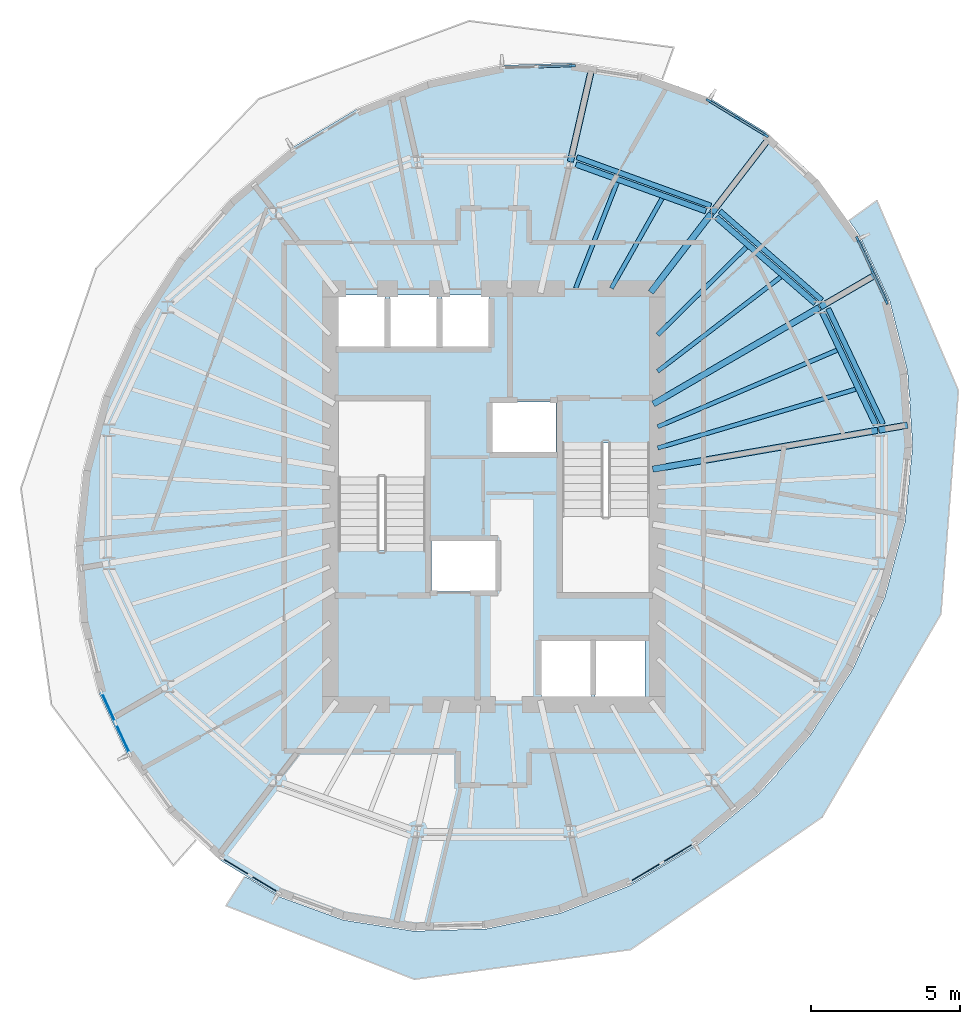
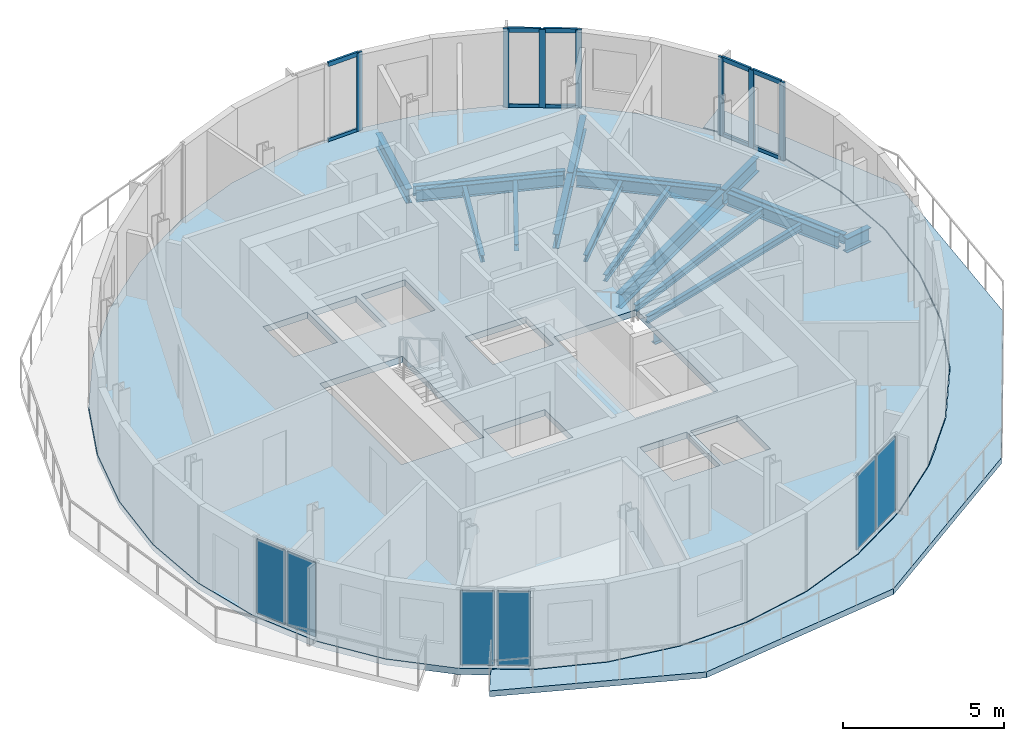
# One storey, part 3 of 11: 19 beams, 17 members, 6 plates, 2 slabs, 6 elements without a shape of their own.
"""IFC4 building model written with IfcOpenShell, lengths in metres."""

from ifc_helpers import new_model, si_unit, direction, frame, origin, origin_2d, place, context, subcontext, project, spatial, polyline, rectangle, i_section, outline, extrude, material, layer, layer_set, material_profile, profile_set, type_object, element, aggregate, save


model = new_model("IFC4")

# Units and contexts
model_context = context("Model", 3, precision=1e-05, world=origin(), true_north=direction((0.0, 1.0)))
body_context = subcontext(model_context, "Body", "Model", "MODEL_VIEW")
ifc_project = project(units=[si_unit("LENGTHUNIT", "METRE"), si_unit("AREAUNIT", "SQUARE_METRE"), si_unit("VOLUMEUNIT", "CUBIC_METRE"), si_unit("PLANEANGLEUNIT", "RADIAN"), si_unit("MASSUNIT", "GRAM", prefix="KILO")], contexts=[model_context])

# Site, building, storey
site_placement = place(None, origin())
site = spatial("IfcSite", under=ifc_project, at=site_placement, CompositionType="ELEMENT")
building_placement = place(site_placement, origin())
building = spatial("IfcBuilding", under=site, at=building_placement, Name="Veldorim Arch Residences", CompositionType="ELEMENT")
storey_placement = place(building_placement, frame((0.0, 0.0, 211.0400390625)))
storey = spatial("IfcBuildingStorey", under=building, at=storey_placement, Name="L63", CompositionType="ELEMENT", Elevation=211.0400390625)

# Beams
ifc_material_1 = material(Name="Steel S355", Category="steel")
ifc_material_profile_1 = material_profile(ifc_material_1, i_section(OverallWidth=0.2119140625, OverallDepth=0.54443359375, WebThickness=0.0126953125, FlangeThickness=0.021240234375, at=origin_2d()), Name="UB533x210x122")
ifc_profile_set_1 = profile_set([ifc_material_profile_1], Name="Steel S355")
beam_type_1 = type_object("IfcBeamType", Name="Structural Steel Beam UB533x210x122", PredefinedType="BEAM", material=ifc_profile_set_1)
beam_1_placement = place(storey_placement, frame((37.352294921875, 24.92578125, -0.512451171875), z_axis=(0.985364974081, 0.170457818401, 0.0), x_axis=(-0.170457818401, 0.985364974081, 0.0)))
element("IfcBeam", 1, at=beam_1_placement, inside=storey, type_object=beam_type_1, Name="L63 radial floor girder 01", PredefinedType="BEAM", context=body_context, shape_type="SweptSolid", body=[
    extrude(i_section(OverallWidth=0.2119140625, OverallDepth=0.54443359375, WebThickness=0.0126953125, FlangeThickness=0.021240234375, at=origin_2d()), origin(), (0.0, 0.0, 1.0), 7.68701171875),
])
beam_2_placement = place(storey_placement, frame((44.966064453125, 26.242919921875, -0.512451171875), z_axis=(0.985356152623, 0.170508804723, 0.0), x_axis=(-0.170508804723, 0.985356152623, 0.0)))
element("IfcBeam", 2, at=beam_2_placement, inside=storey, type_object=beam_type_1, Name="L63 radial edge cantilever girder 01", PredefinedType="BEAM", context=body_context, shape_type="SweptSolid", body=[
    extrude(i_section(OverallWidth=0.2119140625, OverallDepth=0.54443359375, WebThickness=0.0126953125, FlangeThickness=0.021240234375, at=origin_2d()), origin(), (0.0, 0.0, 1.0), 0.97802734375),
])
beam_3_placement = place(storey_placement, frame((37.370361328125, 27.12060546875, -0.512451171875), z_axis=(0.864595736304, 0.502468121142, 0.0), x_axis=(-0.502468121142, 0.864595736304, 0.0)))
element("IfcBeam", 3, at=beam_3_placement, inside=storey, type_object=beam_type_1, Name="L63 radial floor girder 02", PredefinedType="BEAM", context=body_context, shape_type="SweptSolid", body=[
    extrude(i_section(OverallWidth=0.2119140625, OverallDepth=0.54443359375, WebThickness=0.0126953125, FlangeThickness=0.021240234375, at=origin_2d()), origin(), (0.0, 0.0, 1.0), 6.462646484375),
])
beam_4_placement = place(storey_placement, frame((42.99267578125, 30.387939453125, -0.512451171875), z_axis=(0.864602636906, 0.502456247105, 0.0), x_axis=(-0.502456247105, 0.864602636906, 0.0)))
element("IfcBeam", 4, at=beam_4_placement, inside=storey, type_object=beam_type_1, Name="L63 radial edge cantilever girder 02", PredefinedType="BEAM", context=body_context, shape_type="SweptSolid", body=[
    extrude(i_section(OverallWidth=0.2119140625, OverallDepth=0.54443359375, WebThickness=0.0126953125, FlangeThickness=0.021240234375, at=origin_2d()), origin(), (0.0, 0.0, 1.0), 2.09326171875),
])
beam_5_placement = place(storey_placement, frame((37.28662109375, 30.881103515625, -0.512451171875), z_axis=(0.609258442308, 0.792971721108, 0.0), x_axis=(-0.792971721108, 0.609258442308, 0.0)))
element("IfcBeam", 5, at=beam_5_placement, inside=storey, type_object=beam_type_1, Name="L63 radial floor girder 03", PredefinedType="BEAM", context=body_context, shape_type="SweptSolid", body=[
    extrude(i_section(OverallWidth=0.2119140625, OverallDepth=0.54443359375, WebThickness=0.0126953125, FlangeThickness=0.021240234375, at=origin_2d()), origin(), (0.0, 0.0, 1.0), 3.339599609375),
])
beam_6_placement = place(storey_placement, frame((39.345703125, 33.561279296875, -0.512451171875), z_axis=(0.609220133564, 0.793001153126, 0.0), x_axis=(-0.793001153126, 0.609220133564, 0.0)))
element("IfcBeam", 6, at=beam_6_placement, inside=storey, type_object=beam_type_1, Name="L63 radial edge cantilever girder 03", PredefinedType="BEAM", context=body_context, shape_type="SweptSolid", body=[
    extrude(i_section(OverallWidth=0.2119140625, OverallDepth=0.54443359375, WebThickness=0.0126953125, FlangeThickness=0.021240234375, at=origin_2d()), origin(), (0.0, 0.0, 1.0), 3.151123046875),
])
beam_7_placement = place(storey_placement, frame((34.57958984375, 35.27880859375, -0.512451171875), z_axis=(0.22295712551, 0.974828251634, 0.0), x_axis=(-0.974828251634, 0.22295712551, 0.0)))
element("IfcBeam", 7, at=beam_7_placement, inside=storey, type_object=beam_type_1, Name="L63 radial edge cantilever girder 04", PredefinedType="BEAM", context=body_context, shape_type="SweptSolid", body=[
    extrude(i_section(OverallWidth=0.2119140625, OverallDepth=0.54443359375, WebThickness=0.0126953125, FlangeThickness=0.021240234375, at=origin_2d()), origin(), (0.0, 0.0, 1.0), 3.206298828125),
])
ifc_material_2 = material(Name="Steel S355", Category="steel")
ifc_material_profile_2 = material_profile(ifc_material_2, i_section(OverallWidth=0.146484375, OverallDepth=0.256103515625, WebThickness=0.00634765625, FlangeThickness=0.010986328125, at=origin_2d()), Name="UB254x146x37")
ifc_profile_set_2 = profile_set([ifc_material_profile_2], Name="Steel S355")
beam_type_2 = type_object("IfcBeamType", Name="Structural Steel Joist UB254x146x37", PredefinedType="JOIST", material=ifc_profile_set_2)
beam_8_placement = place(storey_placement, frame((37.519287109375, 25.639404296875, -0.367919921875), z_axis=(0.958594432792, 0.284774846889, 0.0), x_axis=(-0.284774846889, 0.958594432792, 0.0)))
element("IfcBeam", 8, at=beam_8_placement, inside=storey, type_object=beam_type_2, Name="L63 secondary radial floor joist 01-1", PredefinedType="JOIST", context=body_context, shape_type="SweptSolid", body=[
    extrude(i_section(OverallWidth=0.146484375, OverallDepth=0.256103515625, WebThickness=0.00634765625, FlangeThickness=0.010986328125, at=origin_2d()), origin(), (0.0, 0.0, 1.0), 6.949462890625),
])
beam_9_placement = place(storey_placement, frame((37.518310546875, 26.355712890625, -0.367919921875), z_axis=(0.919725161652, 0.392562895629, 0.0), x_axis=(-0.392562895629, 0.919725161652, 0.0)))
element("IfcBeam", 9, at=beam_9_placement, inside=storey, type_object=beam_type_2, Name="L63 secondary radial floor joist 01-2", PredefinedType="JOIST", context=body_context, shape_type="SweptSolid", body=[
    extrude(i_section(OverallWidth=0.146484375, OverallDepth=0.256103515625, WebThickness=0.00634765625, FlangeThickness=0.010986328125, at=origin_2d()), origin(), (0.0, 0.0, 1.0), 6.5625),
])
beam_10_placement = place(storey_placement, frame((37.515869140625, 28.222900390625, -0.367919921875), z_axis=(0.794013672216, 0.607899899929, 0.0), x_axis=(-0.607899899929, 0.794013672216, 0.0)))
element("IfcBeam", 10, at=beam_10_placement, inside=storey, type_object=beam_type_2, Name="L63 secondary radial floor joist 02-1", PredefinedType="JOIST", context=body_context, shape_type="SweptSolid", body=[
    extrude(i_section(OverallWidth=0.146484375, OverallDepth=0.256103515625, WebThickness=0.00634765625, FlangeThickness=0.010986328125, at=origin_2d()), origin(), (0.0, 0.0, 1.0), 5.217041015625),
])
beam_11_placement = place(storey_placement, frame((37.51416015625, 29.44775390625, -0.367919921875), z_axis=(0.711396725432, 0.702790650937, 0.0), x_axis=(-0.702790650937, 0.711396725432, 0.0)))
element("IfcBeam", 11, at=beam_11_placement, inside=storey, type_object=beam_type_2, Name="L63 secondary radial floor joist 02-2", PredefinedType="JOIST", context=body_context, shape_type="SweptSolid", body=[
    extrude(i_section(OverallWidth=0.146484375, OverallDepth=0.256103515625, WebThickness=0.00634765625, FlangeThickness=0.010986328125, at=origin_2d()), origin(), (0.0, 0.0, 1.0), 4.198486328125),
])
beam_12_placement = place(storey_placement, frame((35.960205078125, 31.017333984375, -0.367919921875), z_axis=(0.491452469585, 0.870904397818, 0.0), x_axis=(-0.870904397818, 0.491452469585, 0.0)))
element("IfcBeam", 12, at=beam_12_placement, inside=storey, type_object=beam_type_2, Name="L63 secondary radial floor joist 03-1", PredefinedType="JOIST", context=body_context, shape_type="SweptSolid", body=[
    extrude(i_section(OverallWidth=0.146484375, OverallDepth=0.256103515625, WebThickness=0.00634765625, FlangeThickness=0.010986328125, at=origin_2d()), origin(), (0.0, 0.0, 1.0), 3.472412109375),
])
beam_13_placement = place(storey_placement, frame((34.75634765625, 31.0185546875, -0.367919921875), z_axis=(0.365581383042, 0.930779379001, 0.0), x_axis=(-0.930779379001, 0.365581383042, 0.0)))
element("IfcBeam", 13, at=beam_13_placement, inside=storey, type_object=beam_type_2, Name="L63 secondary radial floor joist 03-2", PredefinedType="JOIST", context=body_context, shape_type="SweptSolid", body=[
    extrude(i_section(OverallWidth=0.146484375, OverallDepth=0.256103515625, WebThickness=0.00634765625, FlangeThickness=0.010986328125, at=origin_2d()), origin(), (0.0, 0.0, 1.0), 3.83056640625),
])
ifc_material_3 = material(Name="Steel S355", Category="steel")
ifc_material_profile_3 = material_profile(ifc_material_3, i_section(OverallWidth=0.172119140625, OverallDepth=0.35791015625, WebThickness=0.008056640625, FlangeThickness=0.012939453125, at=origin_2d()), Name="UB356x171x57")
ifc_profile_set_3 = profile_set([ifc_material_profile_3], Name="Steel S355")
beam_type_3 = type_object("IfcBeamType", Name="Structural Steel Spandrel UB356x171x57", PredefinedType="SPANDREL", material=ifc_profile_set_3)
beam_14_placement = place(storey_placement, frame((45.106201171875, 26.4423828125, -0.43896484375), z_axis=(-0.428468601304, 0.903556670994, 0.0), x_axis=(-0.903556670994, -0.428468601304, 0.0)))
element("IfcBeam", 14, at=beam_14_placement, inside=storey, type_object=beam_type_3, Name="L63 perimeter chord spandrel beam 01", PredefinedType="SPANDREL", context=body_context, shape_type="SweptSolid", body=[
    extrude(i_section(OverallWidth=0.172119140625, OverallDepth=0.35791015625, WebThickness=0.008056640625, FlangeThickness=0.012939453125, at=origin_2d()), origin(), (0.0, 0.0, 1.0), 4.31005859375),
])
beam_15_placement = place(storey_placement, frame((43.048095703125, 30.6162109375, -0.43896484375), z_axis=(-0.752868439096, 0.658171036596, 0.0), x_axis=(-0.658171036596, -0.752868439096, 0.0)))
element("IfcBeam", 15, at=beam_15_placement, inside=storey, type_object=beam_type_3, Name="L63 perimeter chord spandrel beam 02", PredefinedType="SPANDREL", context=body_context, shape_type="SweptSolid", body=[
    extrude(i_section(OverallWidth=0.172119140625, OverallDepth=0.35791015625, WebThickness=0.008056640625, FlangeThickness=0.012939453125, at=origin_2d()), origin(), (0.0, 0.0, 1.0), 4.560791015625),
])
beam_16_placement = place(storey_placement, frame((39.311279296875, 33.796630859375, -0.43896484375), z_axis=(-0.940178823137, 0.340681347486, 0.0), x_axis=(-0.340681347486, -0.940178823137, 0.0)))
element("IfcBeam", 16, at=beam_16_placement, inside=storey, type_object=beam_type_3, Name="L63 perimeter chord spandrel beam 03", PredefinedType="SPANDREL", context=body_context, shape_type="SweptSolid", body=[
    extrude(i_section(OverallWidth=0.172119140625, OverallDepth=0.35791015625, WebThickness=0.008056640625, FlangeThickness=0.012939453125, at=origin_2d()), origin(), (0.0, 0.0, 1.0), 4.80126953125),
])
ifc_material_4 = material(Name="Steel S355", Category="steel")
ifc_material_profile_4 = material_profile(ifc_material_4, i_section(OverallWidth=0.19140625, OverallDepth=0.4599609375, WebThickness=0.010009765625, FlangeThickness=0.01611328125, at=origin_2d()), Name="UB457x191x82")
ifc_profile_set_4 = profile_set([ifc_material_profile_4], Name="Steel S355")
beam_type_4 = type_object("IfcBeamType", Name="Structural Steel Spandrel UB457x191x82", PredefinedType="SPANDREL", material=ifc_profile_set_4)
beam_17_placement = place(storey_placement, frame((44.85888671875, 26.42333984375, -0.469970703125), z_axis=(-0.429992574394, 0.902832424078, 0.0), x_axis=(-0.902832424078, -0.429992574394, 0.0)))
element("IfcBeam", 17, at=beam_17_placement, inside=storey, type_object=beam_type_4, Name="L63 perimeter ring tie beam 01", PredefinedType="SPANDREL", context=body_context, shape_type="SweptSolid", body=[
    extrude(i_section(OverallWidth=0.19140625, OverallDepth=0.4599609375, WebThickness=0.010009765625, FlangeThickness=0.01611328125, at=origin_2d()), origin(), (0.0, 0.0, 1.0), 4.176513671875),
])
beam_18_placement = place(storey_placement, frame((42.82177734375, 30.511474609375, -0.469970703125), z_axis=(-0.754534162517, 0.656260769508, 0.0), x_axis=(-0.656260769508, -0.754534162517, 0.0)))
element("IfcBeam", 18, at=beam_18_placement, inside=storey, type_object=beam_type_4, Name="L63 perimeter ring tie beam 02", PredefinedType="SPANDREL", context=body_context, shape_type="SweptSolid", body=[
    extrude(i_section(OverallWidth=0.19140625, OverallDepth=0.4599609375, WebThickness=0.010009765625, FlangeThickness=0.01611328125, at=origin_2d()), origin(), (0.0, 0.0, 1.0), 4.419677734375),
])
beam_19_placement = place(storey_placement, frame((39.14208984375, 33.6142578125, -0.469970703125), z_axis=(-0.940819134121, 0.338909068736, 0.0), x_axis=(-0.338909068736, -0.940819134121, 0.0)))
element("IfcBeam", 19, at=beam_19_placement, inside=storey, type_object=beam_type_4, Name="L63 perimeter ring tie beam 03", PredefinedType="SPANDREL", context=body_context, shape_type="SweptSolid", body=[
    extrude(i_section(OverallWidth=0.19140625, OverallDepth=0.4599609375, WebThickness=0.010009765625, FlangeThickness=0.01611328125, at=origin_2d()), origin(), (0.0, 0.0, 1.0), 4.650634765625),
])

# Curtain wall, members
ifc_material_5 = material(Name="Aluminium", Category="aluminium")
curtain_wall_type = type_object("IfcCurtainWallType", Name="Zone 4 High-Altitude Unitised Curtain Wall", PredefinedType="NOTDEFINED", material=ifc_material_5)
curtain_wall_1_placement = place(storey_placement, origin())
curtain_wall_1 = element("IfcCurtainWall", 20, at=curtain_wall_1_placement, inside=storey, type_object=curtain_wall_type, Name="L63 unitised curtain wall bay 01", PredefinedType="NOTDEFINED")
ifc_material_6 = material(Name="Aluminium", Category="aluminium")
ifc_material_profile_5 = material_profile(ifc_material_6, rectangle(XDim=0.074951171875, YDim=0.195068359375, at=origin_2d()), Name="ALU_MUL_75x195")
ifc_profile_set_5 = profile_set([ifc_material_profile_5], Name="Aluminium")
member_type_1 = type_object("IfcMemberType", Name="Zone 4 High-Altitude Unitised Curtain Wall Mullion 75x195", PredefinedType="MULLION", material=ifc_profile_set_5)
member_1_placement = place(storey_placement, frame((39.236572265625, 37.334716796875, 0.0), z_axis=(0.0, 0.0, 1.0), x_axis=(0.520032918989, 0.854146218846, 0.0)))
member_1 = element("IfcMember", 21, at=member_1_placement, type_object=member_type_1, Name="CW-Z4 mullion 1", PredefinedType="MULLION", context=body_context, shape_type="SweptSolid", body=[
    extrude(rectangle(XDim=0.074951171875, YDim=0.195068359375, at=origin_2d()), origin(), (0.0, 0.0, 1.0), 2.9599609375),
])
member_2_placement = place(storey_placement, frame((40.197265625, 36.749755859375, 0.0), z_axis=(0.0, 0.0, 1.0), x_axis=(0.520032918989, 0.854146218846, 0.0)))
member_2 = element("IfcMember", 22, at=member_2_placement, type_object=member_type_1, Name="CW-Z4 mullion 2", PredefinedType="MULLION", context=body_context, shape_type="SweptSolid", body=[
    extrude(rectangle(XDim=0.074951171875, YDim=0.195068359375, at=origin_2d()), origin(), (0.0, 0.0, 1.0), 2.9599609375),
])
member_3_placement = place(storey_placement, frame((41.157958984375, 36.164794921875, 0.0), z_axis=(0.0, 0.0, 1.0), x_axis=(0.520032918989, 0.854146218846, 0.0)))
member_3 = element("IfcMember", 23, at=member_3_placement, type_object=member_type_1, Name="CW-Z4 mullion 3", PredefinedType="MULLION", context=body_context, shape_type="SweptSolid", body=[
    extrude(rectangle(XDim=0.074951171875, YDim=0.195068359375, at=origin_2d()), origin(), (0.0, 0.0, 1.0), 2.9599609375),
])

# Curtain wall, member
curtain_wall_2_placement = place(storey_placement, origin())
curtain_wall_2 = element("IfcCurtainWall", 24, at=curtain_wall_2_placement, inside=storey, type_object=curtain_wall_type, Name="L63 unitised curtain wall bay 04", PredefinedType="NOTDEFINED")
member_4_placement = place(storey_placement, frame((34.6513671875, 38.509033203125, 0.0), z_axis=(0.0, 0.0, 1.0), x_axis=(-0.030834608084, 0.999524500422, 0.0)))
member_4 = element("IfcMember", 25, at=member_4_placement, type_object=member_type_1, Name="CW-Z4 mullion 3", PredefinedType="MULLION", context=body_context, shape_type="SweptSolid", body=[
    extrude(rectangle(XDim=0.074951171875, YDim=0.195068359375, at=origin_2d()), origin(), (0.0, 0.0, 1.0), 2.9599609375),
])

# Curtain wall, members
curtain_wall_3_placement = place(storey_placement, origin())
curtain_wall_3 = element("IfcCurtainWall", 26, at=curtain_wall_3_placement, inside=storey, type_object=curtain_wall_type, Name="L63 unitised curtain wall bay 34", PredefinedType="NOTDEFINED")
member_5_placement = place(storey_placement, frame((44.248291015625, 32.666748046875, 0.0), z_axis=(0.0, 0.0, 1.0), x_axis=(0.908400123828, 0.418101919427, 0.0)))
member_5 = element("IfcMember", 27, at=member_5_placement, type_object=member_type_1, Name="CW-Z4 mullion 1", PredefinedType="MULLION", context=body_context, shape_type="SweptSolid", body=[
    extrude(rectangle(XDim=0.074951171875, YDim=0.195068359375, at=origin_2d()), origin(), (0.0, 0.0, 1.0), 2.9599609375),
])
member_6_placement = place(storey_placement, frame((44.731689453125, 31.6162109375, 0.0), z_axis=(0.0, 0.0, 1.0), x_axis=(0.908400123828, 0.418101919427, 0.0)))
member_6 = element("IfcMember", 28, at=member_6_placement, type_object=member_type_1, Name="CW-Z4 mullion 2", PredefinedType="MULLION", context=body_context, shape_type="SweptSolid", body=[
    extrude(rectangle(XDim=0.074951171875, YDim=0.195068359375, at=origin_2d()), origin(), (0.0, 0.0, 1.0), 2.9599609375),
])
member_7_placement = place(storey_placement, frame((45.21533203125, 30.565673828125, 0.0), z_axis=(0.0, 0.0, 1.0), x_axis=(0.908400123828, 0.418101919427, 0.0)))
member_7 = element("IfcMember", 29, at=member_7_placement, type_object=member_type_1, Name="CW-Z4 mullion 3", PredefinedType="MULLION", context=body_context, shape_type="SweptSolid", body=[
    extrude(rectangle(XDim=0.074951171875, YDim=0.195068359375, at=origin_2d()), origin(), (0.0, 0.0, 1.0), 2.9599609375),
])

# Member
ifc_material_7 = material(Name="Aluminium", Category="aluminium")
ifc_material_profile_6 = material_profile(ifc_material_7, rectangle(XDim=0.074951171875, YDim=0.1650390625, at=origin_2d()), Name="ALU_TRN_75x165")
ifc_profile_set_6 = profile_set([ifc_material_profile_6], Name="Aluminium")
member_type_2 = type_object("IfcMemberType", Name="Zone 4 High-Altitude Unitised Curtain Wall Transom 75x165", PredefinedType="USERDEFINED", material=ifc_profile_set_6)
member_8_placement = place(storey_placement, frame((39.2685546875, 37.315185546875, 0.037353515625), z_axis=(0.854171610256, -0.519991211688, 0.0), x_axis=(0.519991211688, 0.854171610256, 0.0)))
member_8 = element("IfcMember", 30, at=member_8_placement, type_object=member_type_2, Name="CW-Z4 transom 1.1", ObjectType="TRANSOM", PredefinedType="USERDEFINED", context=body_context, shape_type="SweptSolid", body=[
    extrude(rectangle(XDim=0.074951171875, YDim=0.1650390625, at=origin_2d()), origin(), (0.0, 0.0, 1.0), 1.0498046875),
])

member_9_placement = place(storey_placement, frame((39.2685546875, 37.315185546875, 2.92236328125), z_axis=(0.854171610256, -0.519991211688, 0.0), x_axis=(0.519991211688, 0.854171610256, 0.0)))
member_9 = element("IfcMember", 31, at=member_9_placement, type_object=member_type_2, Name="CW-Z4 transom 1.2", ObjectType="TRANSOM", PredefinedType="USERDEFINED", context=body_context, shape_type="SweptSolid", body=[
    extrude(rectangle(XDim=0.074951171875, YDim=0.1650390625, at=origin_2d()), origin(), (0.0, 0.0, 1.0), 1.0498046875),
])

member_10_placement = place(storey_placement, frame((40.229248046875, 36.730224609375, 0.037353515625), z_axis=(0.854171610256, -0.519991211688, 0.0), x_axis=(0.519991211688, 0.854171610256, 0.0)))
member_10 = element("IfcMember", 32, at=member_10_placement, type_object=member_type_2, Name="CW-Z4 transom 2.1", ObjectType="TRANSOM", PredefinedType="USERDEFINED", context=body_context, shape_type="SweptSolid", body=[
    extrude(rectangle(XDim=0.074951171875, YDim=0.1650390625, at=origin_2d()), origin(), (0.0, 0.0, 1.0), 1.0498046875),
])

member_11_placement = place(storey_placement, frame((40.229248046875, 36.730224609375, 2.92236328125), z_axis=(0.854171610256, -0.519991211688, 0.0), x_axis=(0.519991211688, 0.854171610256, 0.0)))
member_11 = element("IfcMember", 33, at=member_11_placement, type_object=member_type_2, Name="CW-Z4 transom 2.2", ObjectType="TRANSOM", PredefinedType="USERDEFINED", context=body_context, shape_type="SweptSolid", body=[
    extrude(rectangle(XDim=0.074951171875, YDim=0.1650390625, at=origin_2d()), origin(), (0.0, 0.0, 1.0), 1.0498046875),
])

aggregate(curtain_wall_1, [member_1, member_2, member_3, member_8, member_9, member_10, member_11])

member_12_placement = place(storey_placement, frame((33.505859375, 38.473876953125, 0.037353515625), z_axis=(0.999524669181, 0.030829137186, 0.0), x_axis=(-0.030829137186, 0.999524669181, 0.0)))
member_12 = element("IfcMember", 34, at=member_12_placement, type_object=member_type_2, Name="CW-Z4 transom 2.1", ObjectType="TRANSOM", PredefinedType="USERDEFINED", context=body_context, shape_type="SweptSolid", body=[
    extrude(rectangle(XDim=0.074951171875, YDim=0.1650390625, at=origin_2d()), origin(), (0.0, 0.0, 1.0), 1.108642578125),
])

member_13_placement = place(storey_placement, frame((33.505859375, 38.473876953125, 2.92236328125), z_axis=(0.999524669181, 0.030829137186, 0.0), x_axis=(-0.030829137186, 0.999524669181, 0.0)))
member_13 = element("IfcMember", 35, at=member_13_placement, type_object=member_type_2, Name="CW-Z4 transom 2.2", ObjectType="TRANSOM", PredefinedType="USERDEFINED", context=body_context, shape_type="SweptSolid", body=[
    extrude(rectangle(XDim=0.074951171875, YDim=0.1650390625, at=origin_2d()), origin(), (0.0, 0.0, 1.0), 1.108642578125),
])

aggregate(curtain_wall_2, [member_4, member_12, member_13])

member_14_placement = place(storey_placement, frame((44.263916015625, 32.632568359375, 0.037353515625), z_axis=(0.418084469108, -0.908408155341, 0.0), x_axis=(0.908408155341, 0.418084469108, 0.0)))
member_14 = element("IfcMember", 36, at=member_14_placement, type_object=member_type_2, Name="CW-Z4 transom 1.1", ObjectType="TRANSOM", PredefinedType="USERDEFINED", context=body_context, shape_type="SweptSolid", body=[
    extrude(rectangle(XDim=0.074951171875, YDim=0.1650390625, at=origin_2d()), origin(), (0.0, 0.0, 1.0), 1.08154296875),
])

member_15_placement = place(storey_placement, frame((44.263916015625, 32.632568359375, 2.92236328125), z_axis=(0.418084469108, -0.908408155341, 0.0), x_axis=(0.908408155341, 0.418084469108, 0.0)))
member_15 = element("IfcMember", 37, at=member_15_placement, type_object=member_type_2, Name="CW-Z4 transom 1.2", ObjectType="TRANSOM", PredefinedType="USERDEFINED", context=body_context, shape_type="SweptSolid", body=[
    extrude(rectangle(XDim=0.074951171875, YDim=0.1650390625, at=origin_2d()), origin(), (0.0, 0.0, 1.0), 1.08154296875),
])

member_16_placement = place(storey_placement, frame((44.747314453125, 31.58203125, 0.037353515625), z_axis=(0.418084469108, -0.908408155341, 0.0), x_axis=(0.908408155341, 0.418084469108, 0.0)))
member_16 = element("IfcMember", 38, at=member_16_placement, type_object=member_type_2, Name="CW-Z4 transom 2.1", ObjectType="TRANSOM", PredefinedType="USERDEFINED", context=body_context, shape_type="SweptSolid", body=[
    extrude(rectangle(XDim=0.074951171875, YDim=0.1650390625, at=origin_2d()), origin(), (0.0, 0.0, 1.0), 1.08154296875),
])

member_17_placement = place(storey_placement, frame((44.747314453125, 31.58203125, 2.92236328125), z_axis=(0.418084469108, -0.908408155341, 0.0), x_axis=(0.908408155341, 0.418084469108, 0.0)))
member_17 = element("IfcMember", 39, at=member_17_placement, type_object=member_type_2, Name="CW-Z4 transom 2.2", ObjectType="TRANSOM", PredefinedType="USERDEFINED", context=body_context, shape_type="SweptSolid", body=[
    extrude(rectangle(XDim=0.074951171875, YDim=0.1650390625, at=origin_2d()), origin(), (0.0, 0.0, 1.0), 1.08154296875),
])

aggregate(curtain_wall_3, [member_5, member_6, member_7, member_14, member_15, member_16, member_17])

# Slabs
ifc_material_8 = material(Name="Concrete C40/50", Category="concrete")
ifc_layer_1 = layer(ifc_material_8, 0.219970703125, Name="Planted Crescent Cantilever Balcony Slab 220")
ifc_layer_set_1 = layer_set([ifc_layer_1], Name="Concrete C40/50")
slab_type_1 = type_object("IfcSlabType", Name="Planted Crescent Cantilever Balcony Slab 220", PredefinedType="FLOOR", material=ifc_layer_set_1)
slab_1_placement = place(storey_placement, frame((0.0, 0.0, -0.219970703125)))
element("IfcSlab", 40, at=slab_1_placement, inside=storey, type_object=slab_type_1, Name="L63 planted crescent balcony slab B", PredefinedType="FLOOR", context=body_context, shape_type="SweptSolid", body=[
    extrude(outline(polyline([(23.731201171875, 11.1591796875), (24.73779296875, 10.54638671875), (26.948486328125, 9.743896484375), (29.312255859375, 9.37451171875), (31.7578125, 9.4501953125), (34.210205078125, 9.967529296875), (36.595703125, 10.911376953125), (38.841064453125, 12.252685546875), (40.878662109375, 13.95068359375), (41.530517578125, 14.65625), (41.59375, 14.760986328125), (42.646484375, 15.953857421875), (44.09130859375, 18.201416015625), (45.168701171875, 20.625244140625), (45.84619140625, 23.151611328125), (46.102783203125, 25.703857421875), (46.001220703125, 27.1865234375), (46.017578125, 27.311767578125), (45.986328125, 27.40283203125), (45.931396484375, 28.204345703125), (45.33642578125, 30.577392578125), (44.3359375, 32.751220703125), (43.966796875, 33.300048828125), (44.900390625, 33.97119140625), (47.643310546875, 27.57861328125), (47.053466796875, 20.04638671875), (43.05419921875, 13.211181640625), (36.615234375, 8.75341796875), (29.326904296875, 7.751708984375), (22.98486328125, 10.2294921875), (23.605712890625, 11.197509765625), (23.731201171875, 11.1591796875)])), origin(), (0.0, 0.0, 1.0), 0.219970703125),
])
ifc_material_9 = material(Name="Concrete C40/50", Category="concrete")
ifc_layer_2 = layer(ifc_material_9, 0.239990234375, Name="Typical Residential Floor Slab 240")
ifc_layer_set_2 = layer_set([ifc_layer_2], Name="Concrete C40/50")
slab_type_2 = type_object("IfcSlabType", Name="Typical Residential Floor Slab 240", PredefinedType="FLOOR", material=ifc_layer_set_2)
slab_2_placement = place(storey_placement, frame((0.0, 0.0, -0.239990234375)))
element("IfcSlab", 41, at=slab_2_placement, inside=storey, type_object=slab_type_2, Name="L63 tower structural floor slab", PredefinedType="FLOOR", context=body_context, shape_type="SweptSolid", body=[
    extrude(outline(polyline([(41.23681640625, 36.22216796875), (39.251220703125, 37.43115234375), (37.04541015625, 38.23193359375), (34.68603515625, 38.600341796875), (32.2451171875, 38.52490234375), (29.796875, 38.00830078125), (27.41552734375, 37.066162109375), (25.17333984375, 35.726806640625), (23.138916015625, 34.031494140625), (21.373291015625, 32.031005859375), (19.930908203125, 29.78662109375), (18.85498046875, 27.366455078125), (18.1787109375, 24.843994140625), (17.922119140625, 22.2958984375), (18.093505859375, 19.799560546875), (18.687255859375, 17.430908203125), (19.685791015625, 15.26171875), (21.05810546875, 13.35791015625), (22.76318359375, 11.77783203125), (24.748779296875, 10.56884765625), (26.95458984375, 9.76806640625), (29.31396484375, 9.399658203125), (31.7548828125, 9.47509765625), (34.203125, 9.99169921875), (36.58447265625, 10.933837890625), (38.82666015625, 12.273193359375), (40.861083984375, 13.968505859375), (42.626708984375, 15.968994140625), (44.069091796875, 18.21337890625), (45.14501953125, 20.633544921875), (45.8212890625, 23.156005859375), (46.077880859375, 25.7041015625), (45.906494140625, 28.200439453125), (45.312744140625, 30.569091796875), (44.314208984375, 32.73828125), (42.94189453125, 34.64208984375), (41.23681640625, 36.22216796875)]), holes=[polyline([(33.610107421875, 17.2099609375), (33.610107421875, 19.2900390625), (35.2900390625, 19.2900390625), (35.2900390625, 17.2099609375), (33.610107421875, 17.2099609375)]), polyline([(35.409912109375, 17.2099609375), (35.409912109375, 19.2900390625), (37.090087890625, 19.2900390625), (37.090087890625, 17.2099609375), (35.409912109375, 17.2099609375)]), polyline([(29.909912109375, 20.81494140625), (29.909912109375, 22.544921875), (32.090087890625, 22.544921875), (32.090087890625, 20.81494140625), (29.909912109375, 20.81494140625)]), polyline([(34.2900390625, 20.75), (34.2900390625, 25.804931640625), (37.25, 25.804931640625), (37.25, 20.75), (34.2900390625, 20.75)]), polyline([(26.75, 22.195068359375), (26.75, 27.25), (29.7099609375, 27.25), (29.7099609375, 22.195068359375), (26.75, 22.195068359375)]), polyline([(31.909912109375, 25.455078125), (31.909912109375, 27.18505859375), (34.090087890625, 27.18505859375), (34.090087890625, 25.455078125), (31.909912109375, 25.455078125)]), polyline([(26.760009765625, 28.909912109375), (26.760009765625, 30.7900390625), (28.340087890625, 30.7900390625), (28.340087890625, 28.909912109375), (26.760009765625, 28.909912109375)]), polyline([(28.510009765625, 30.7900390625), (30.090087890625, 30.7900390625), (30.090087890625, 28.909912109375), (28.510009765625, 28.909912109375), (28.510009765625, 30.7900390625)]), polyline([(30.260009765625, 30.7900390625), (31.840087890625, 30.7900390625), (31.840087890625, 28.909912109375), (30.260009765625, 28.909912109375), (30.260009765625, 30.7900390625)])]), origin(), (0.0, 0.0, 1.0), 0.239990234375),
])

# Curtain wall, plates
curtain_wall_4_placement = place(storey_placement, origin())
curtain_wall_4 = element("IfcCurtainWall", 42, at=curtain_wall_4_placement, inside=storey, type_object=curtain_wall_type, Name="L63 unitised curtain wall bay 16", PredefinedType="NOTDEFINED")
ifc_material_10 = material(Name="Laminated Low-E Glass", Category="glass")
ifc_layer_3 = layer(ifc_material_10, 0.030029296875, Name="Zone 4 High-Altitude Unitised Curtain Wall Glazing Panel 30")
ifc_layer_set_3 = layer_set([ifc_layer_3], Name="Laminated Low-E Glass")
plate_type = type_object("IfcPlateType", Name="Zone 4 High-Altitude Unitised Curtain Wall Glazing Panel 30", PredefinedType="CURTAIN_PANEL", material=ifc_layer_set_3)
plate_1_placement = place(storey_placement, frame((19.510009765625, 15.858642578125, 0.074951171875), z_axis=(0.0, 0.0, 1.0), x_axis=(-0.418101919427, 0.908400123828, 0.0)))
plate_1 = element("IfcPlate", 43, at=plate_1_placement, type_object=plate_type, Name="CW-Z4 panel 1.1", PredefinedType="CURTAIN_PANEL", context=body_context, shape_type="SweptSolid", body=[
    extrude(rectangle(XDim=1.08154296875, YDim=0.030029296875, at=origin_2d()), origin(), (0.0, 0.0, 1.0), 2.81005859375),
])
plate_2_placement = place(storey_placement, frame((19.026611328125, 16.9091796875, 0.074951171875), z_axis=(0.0, 0.0, 1.0), x_axis=(-0.418101919427, 0.908400123828, 0.0)))
plate_2 = element("IfcPlate", 44, at=plate_2_placement, type_object=plate_type, Name="CW-Z4 panel 2.1", PredefinedType="CURTAIN_PANEL", context=body_context, shape_type="SweptSolid", body=[
    extrude(rectangle(XDim=1.08154296875, YDim=0.030029296875, at=origin_2d()), origin(), (0.0, 0.0, 1.0), 2.81005859375),
])
aggregate(curtain_wall_4, [plate_1, plate_2])

curtain_wall_5_placement = place(storey_placement, origin())
curtain_wall_5 = element("IfcCurtainWall", 45, at=curtain_wall_5_placement, inside=storey, type_object=curtain_wall_type, Name="L63 unitised curtain wall bay 19", PredefinedType="NOTDEFINED")
plate_3_placement = place(storey_placement, frame((24.283203125, 10.957763671875, 0.074951171875), z_axis=(0.0, 0.0, 1.0), x_axis=(-0.854146218846, 0.520032918989, 0.0)))
plate_3 = element("IfcPlate", 46, at=plate_3_placement, type_object=plate_type, Name="CW-Z4 panel 1.1", PredefinedType="CURTAIN_PANEL", context=body_context, shape_type="SweptSolid", body=[
    extrude(rectangle(XDim=1.0498046875, YDim=0.030029296875, at=origin_2d()), origin(), (0.0, 0.0, 1.0), 2.81005859375),
])
plate_4_placement = place(storey_placement, frame((23.322265625, 11.542724609375, 0.074951171875), z_axis=(0.0, 0.0, 1.0), x_axis=(-0.854146218846, 0.520032918989, 0.0)))
plate_4 = element("IfcPlate", 47, at=plate_4_placement, type_object=plate_type, Name="CW-Z4 panel 2.1", PredefinedType="CURTAIN_PANEL", context=body_context, shape_type="SweptSolid", body=[
    extrude(rectangle(XDim=1.0498046875, YDim=0.030029296875, at=origin_2d()), origin(), (0.0, 0.0, 1.0), 2.81005859375),
])
aggregate(curtain_wall_5, [plate_3, plate_4])

curtain_wall_6_placement = place(storey_placement, origin())
curtain_wall_6 = element("IfcCurtainWall", 48, at=curtain_wall_6_placement, inside=storey, type_object=curtain_wall_type, Name="L63 unitised curtain wall bay 25", PredefinedType="NOTDEFINED")
plate_5_placement = place(storey_placement, frame((38.203857421875, 12.005859375, 0.074951171875), z_axis=(0.0, 0.0, 1.0), x_axis=(-0.85849808331, -0.512816771325, 0.0)))
plate_5 = element("IfcPlate", 49, at=plate_5_placement, type_object=plate_type, Name="CW-Z4 panel 1.1", PredefinedType="CURTAIN_PANEL", context=body_context, shape_type="SweptSolid", body=[
    extrude(rectangle(XDim=1.193359375, YDim=0.030029296875, at=origin_2d()), origin(), (0.0, 0.0, 1.0), 2.81005859375),
])
plate_6_placement = place(storey_placement, frame((37.114990234375, 11.35546875, 0.074951171875), z_axis=(0.0, 0.0, 1.0), x_axis=(-0.85849808331, -0.512816771325, 0.0)))
plate_6 = element("IfcPlate", 50, at=plate_6_placement, type_object=plate_type, Name="CW-Z4 panel 2.1", PredefinedType="CURTAIN_PANEL", context=body_context, shape_type="SweptSolid", body=[
    extrude(rectangle(XDim=1.193359375, YDim=0.030029296875, at=origin_2d()), origin(), (0.0, 0.0, 1.0), 2.81005859375),
])
aggregate(curtain_wall_6, [plate_5, plate_6])

save(model, "model.ifc")
